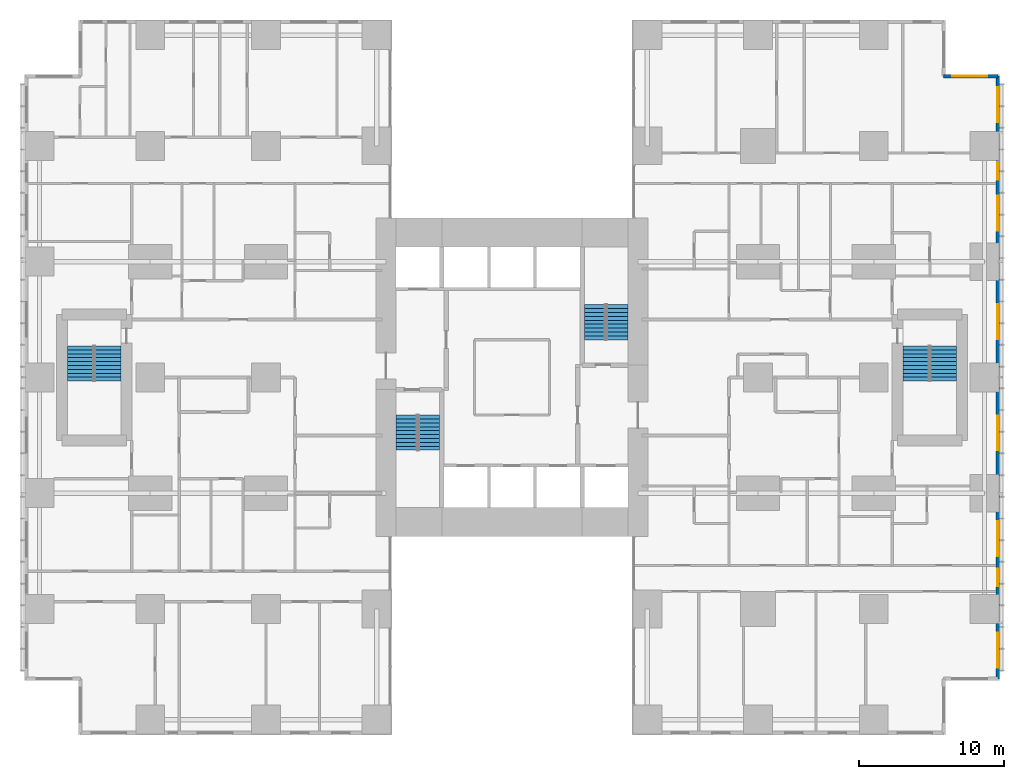
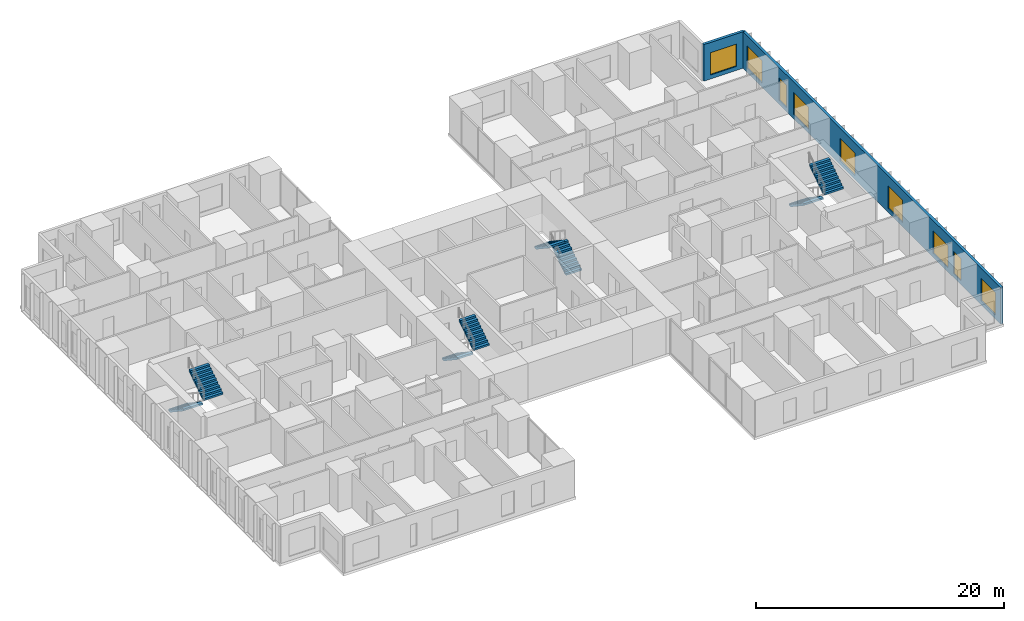
# One storey, part 19 of 20: 9 windows, 8 stair flights, 2 walls, 9 openings, 4 elements without a shape of their own.
"""IFC4 building model written with IfcOpenShell, lengths in metres."""

from ifc_helpers import new_model, si_unit, direction, frame, frame_2d, origin, place, context, subcontext, project, spatial, polyline, rectangle, outline, extrude, material, layer, layer_set, type_object, element, fill, aggregate, save


model = new_model("IFC4")

# Units and contexts
model_context = context("Model", 3, precision=1e-05, world=origin(), true_north=direction((0.0, 1.0)))
body_context = subcontext(model_context, "Body", "Model", "MODEL_VIEW")
ifc_project = project(units=[si_unit("LENGTHUNIT", "METRE"), si_unit("AREAUNIT", "SQUARE_METRE"), si_unit("VOLUMEUNIT", "CUBIC_METRE"), si_unit("PLANEANGLEUNIT", "RADIAN"), si_unit("MASSUNIT", "GRAM", prefix="KILO")], contexts=[model_context])

# Site, building, storey
site_placement = place(None, origin())
site = spatial("IfcSite", under=ifc_project, at=site_placement, CompositionType="ELEMENT")
building_placement = place(site_placement, origin())
building = spatial("IfcBuilding", under=site, at=building_placement, Name="Cleftline Residences", CompositionType="ELEMENT")
storey_placement = place(building_placement, frame((0.0, 0.0, 121.39990234375)))
storey = spatial("IfcBuildingStorey", under=building, at=storey_placement, Name="L31", CompositionType="ELEMENT", Elevation=121.39990234375)

# Wall, openings, windows
ifc_material_1 = material(Name="Rendered reinforced concrete blockwork", Category="masonry")
ifc_layer = layer(ifc_material_1, 0.25)
ifc_layer_set = layer_set([ifc_layer], Name="EXTERNAL WALL 250")
wall_type = type_object("IfcWallType", Name="EXTERNAL WALL 250", PredefinedType="SOLIDWALL", material=ifc_layer_set)
wall_1_placement = place(storey_placement, frame((66.574951171875, 3.175048828125, 0.0), z_axis=(0.0, 0.0, 1.0), x_axis=(0.0, 1.0, 0.0)))
wall_1 = element("IfcWall", 1, at=wall_1_placement, inside=storey, type_object=wall_type, Name="External wall", PredefinedType="SOLIDWALL", context=body_context, shape_type="SweptSolid", body=[
    extrude(rectangle(XDim=41.64990234375, YDim=0.25, at=frame_2d((20.824951171875, 0.0))), origin(), (0.0, 0.0, 1.0), 3.60009765625),
])
opening_1_placement = place(wall_1_placement, frame((0.77490234375, 0.0, 0.39990234375)))
opening_1 = element("IfcOpeningElement", 2, at=opening_1_placement, cuts=wall_1, Name="Opening W12", PredefinedType="OPENING", context=body_context, shape_type="SweptSolid", body=[
    extrude(rectangle(XDim=2.39990234375, YDim=2.199951171875, at=frame_2d((1.199951171875, 1.10009765625))), frame((0.0, 0.135009765625, 0.0), z_axis=(0.0, -1.0, 0.0), x_axis=(1.0, 0.0, 0.0)), (0.0, 0.0, 1.0), 0.27001953125),
])
opening_2_placement = place(wall_1_placement, frame((6.39990234375, 0.0, 0.39990234375)))
opening_2 = element("IfcOpeningElement", 3, at=opening_2_placement, cuts=wall_1, Name="Opening W11", PredefinedType="OPENING", context=body_context, shape_type="SweptSolid", body=[
    extrude(rectangle(XDim=1.199951171875, YDim=2.199951171875, at=frame_2d((0.60009765625, 1.10009765625))), frame((0.0, 0.135009765625, 0.0), z_axis=(0.0, -1.0, 0.0), x_axis=(1.0, 0.0, 0.0)), (0.0, 0.0, 1.0), 0.27001953125),
])
opening_3_placement = place(wall_1_placement, frame((8.47509765625, 0.0, 0.39990234375)))
opening_3 = element("IfcOpeningElement", 4, at=opening_3_placement, cuts=wall_1, Name="Opening W12", PredefinedType="OPENING", context=body_context, shape_type="SweptSolid", body=[
    extrude(rectangle(XDim=2.39990234375, YDim=2.199951171875, at=frame_2d((1.199951171875, 1.10009765625))), frame((0.0, 0.135009765625, 0.0), z_axis=(0.0, -1.0, 0.0), x_axis=(1.0, 0.0, 0.0)), (0.0, 0.0, 1.0), 0.27001953125),
])
opening_4_placement = place(wall_1_placement, frame((15.77490234375, 0.0, 0.39990234375)))
opening_4 = element("IfcOpeningElement", 5, at=opening_4_placement, cuts=wall_1, Name="Opening W12", PredefinedType="OPENING", context=body_context, shape_type="SweptSolid", body=[
    extrude(rectangle(XDim=2.39990234375, YDim=2.199951171875, at=frame_2d((1.199951171875, 1.10009765625))), frame((0.0, 0.135009765625, 0.0), z_axis=(0.0, -1.0, 0.0), x_axis=(1.0, 0.0, 0.0)), (0.0, 0.0, 1.0), 0.27001953125),
])
opening_5_placement = place(wall_1_placement, frame((23.47509765625, 0.0, 0.39990234375)))
opening_5 = element("IfcOpeningElement", 6, at=opening_5_placement, cuts=wall_1, Name="Opening W12", PredefinedType="OPENING", context=body_context, shape_type="SweptSolid", body=[
    extrude(rectangle(XDim=2.39990234375, YDim=2.199951171875, at=frame_2d((1.199951171875, 1.10009765625))), frame((0.0, 0.135009765625, 0.0), z_axis=(0.0, -1.0, 0.0), x_axis=(1.0, 0.0, 0.0)), (0.0, 0.0, 1.0), 0.27001953125),
])
opening_6_placement = place(wall_1_placement, frame((30.97509765625, 0.0, 0.39990234375)))
opening_6 = element("IfcOpeningElement", 7, at=opening_6_placement, cuts=wall_1, Name="Opening W12", PredefinedType="OPENING", context=body_context, shape_type="SweptSolid", body=[
    extrude(rectangle(XDim=2.39990234375, YDim=2.199951171875, at=frame_2d((1.199951171875, 1.10009765625))), frame((0.0, 0.135009765625, 0.0), z_axis=(0.0, -1.0, 0.0), x_axis=(1.0, 0.0, 0.0)), (0.0, 0.0, 1.0), 0.27001953125),
])
opening_7_placement = place(wall_1_placement, frame((34.5, 0.0, 0.39990234375)))
opening_7 = element("IfcOpeningElement", 8, at=opening_7_placement, cuts=wall_1, Name="Opening W11", PredefinedType="OPENING", context=body_context, shape_type="SweptSolid", body=[
    extrude(rectangle(XDim=1.199951171875, YDim=2.199951171875, at=frame_2d((0.60009765625, 1.10009765625))), frame((0.0, 0.135009765625, 0.0), z_axis=(0.0, -1.0, 0.0), x_axis=(1.0, 0.0, 0.0)), (0.0, 0.0, 1.0), 0.27001953125),
])
opening_8_placement = place(wall_1_placement, frame((38.47509765625, 0.0, 0.39990234375)))
opening_8 = element("IfcOpeningElement", 9, at=opening_8_placement, cuts=wall_1, Name="Opening W12", PredefinedType="OPENING", context=body_context, shape_type="SweptSolid", body=[
    extrude(rectangle(XDim=2.39990234375, YDim=2.199951171875, at=frame_2d((1.199951171875, 1.10009765625))), frame((0.0, 0.135009765625, 0.0), z_axis=(0.0, -1.0, 0.0), x_axis=(1.0, 0.0, 0.0)), (0.0, 0.0, 1.0), 0.27001953125),
])
ifc_material_2 = material(Name="Aluminium frame, clear double glazing", Category="aluminium")
window_type_1 = type_object("IfcWindowType", Name="WINDOW 1200X2200", PartitioningType="DOUBLE_PANEL_VERTICAL", PredefinedType="WINDOW", material=ifc_material_2)
window_1_placement = place(opening_2_placement, origin())
window_1 = element("IfcWindow", 10, at=window_1_placement, inside=storey, type_object=window_type_1, Name="Window", OverallHeight=2.199951171875, OverallWidth=1.199951171875, PartitioningType="SINGLE_PANEL", PredefinedType="WINDOW", context=body_context, shape_type="SweptSolid", body=[
    extrude(rectangle(XDim=1.199951171875, YDim=2.199951171875, at=frame_2d((0.60009765625, 1.10009765625))), frame((0.0, 0.030029296875, 0.0), z_axis=(0.0, -1.0, 0.0), x_axis=(1.0, 0.0, 0.0)), (0.0, 0.0, 1.0), 0.06005859375),
])
fill(opening_2, window_1)
window_2_placement = place(opening_7_placement, origin())
window_2 = element("IfcWindow", 11, at=window_2_placement, inside=storey, type_object=window_type_1, Name="Window", OverallHeight=2.199951171875, OverallWidth=1.199951171875, PartitioningType="SINGLE_PANEL", PredefinedType="WINDOW", context=body_context, shape_type="SweptSolid", body=[
    extrude(rectangle(XDim=1.199951171875, YDim=2.199951171875, at=frame_2d((0.60009765625, 1.10009765625))), frame((0.0, 0.030029296875, 0.0), z_axis=(0.0, -1.0, 0.0), x_axis=(1.0, 0.0, 0.0)), (0.0, 0.0, 1.0), 0.06005859375),
])
fill(opening_7, window_2)
ifc_material_3 = material(Name="Aluminium frame, clear double glazing", Category="aluminium")
window_type_2 = type_object("IfcWindowType", Name="WINDOW 2400X2200", PartitioningType="DOUBLE_PANEL_VERTICAL", PredefinedType="WINDOW", material=ifc_material_3)
window_3_placement = place(opening_1_placement, origin())
window_3 = element("IfcWindow", 12, at=window_3_placement, inside=storey, type_object=window_type_2, Name="Window", OverallHeight=2.199951171875, OverallWidth=2.39990234375, PartitioningType="SINGLE_PANEL", PredefinedType="WINDOW", context=body_context, shape_type="SweptSolid", body=[
    extrude(rectangle(XDim=2.39990234375, YDim=2.199951171875, at=frame_2d((1.199951171875, 1.10009765625))), frame((0.0, 0.030029296875, 0.0), z_axis=(0.0, -1.0, 0.0), x_axis=(1.0, 0.0, 0.0)), (0.0, 0.0, 1.0), 0.06005859375),
])
fill(opening_1, window_3)
window_4_placement = place(opening_3_placement, origin())
window_4 = element("IfcWindow", 13, at=window_4_placement, inside=storey, type_object=window_type_2, Name="Window", OverallHeight=2.199951171875, OverallWidth=2.39990234375, PartitioningType="SINGLE_PANEL", PredefinedType="WINDOW", context=body_context, shape_type="SweptSolid", body=[
    extrude(rectangle(XDim=2.39990234375, YDim=2.199951171875, at=frame_2d((1.199951171875, 1.10009765625))), frame((0.0, 0.030029296875, 0.0), z_axis=(0.0, -1.0, 0.0), x_axis=(1.0, 0.0, 0.0)), (0.0, 0.0, 1.0), 0.06005859375),
])
fill(opening_3, window_4)
window_5_placement = place(opening_4_placement, origin())
window_5 = element("IfcWindow", 14, at=window_5_placement, inside=storey, type_object=window_type_2, Name="Window", OverallHeight=2.199951171875, OverallWidth=2.39990234375, PartitioningType="SINGLE_PANEL", PredefinedType="WINDOW", context=body_context, shape_type="SweptSolid", body=[
    extrude(rectangle(XDim=2.39990234375, YDim=2.199951171875, at=frame_2d((1.199951171875, 1.10009765625))), frame((0.0, 0.030029296875, 0.0), z_axis=(0.0, -1.0, 0.0), x_axis=(1.0, 0.0, 0.0)), (0.0, 0.0, 1.0), 0.06005859375),
])
fill(opening_4, window_5)
window_6_placement = place(opening_5_placement, origin())
window_6 = element("IfcWindow", 15, at=window_6_placement, inside=storey, type_object=window_type_2, Name="Window", OverallHeight=2.199951171875, OverallWidth=2.39990234375, PartitioningType="SINGLE_PANEL", PredefinedType="WINDOW", context=body_context, shape_type="SweptSolid", body=[
    extrude(rectangle(XDim=2.39990234375, YDim=2.199951171875, at=frame_2d((1.199951171875, 1.10009765625))), frame((0.0, 0.030029296875, 0.0), z_axis=(0.0, -1.0, 0.0), x_axis=(1.0, 0.0, 0.0)), (0.0, 0.0, 1.0), 0.06005859375),
])
fill(opening_5, window_6)
window_7_placement = place(opening_6_placement, origin())
window_7 = element("IfcWindow", 16, at=window_7_placement, inside=storey, type_object=window_type_2, Name="Window", OverallHeight=2.199951171875, OverallWidth=2.39990234375, PartitioningType="SINGLE_PANEL", PredefinedType="WINDOW", context=body_context, shape_type="SweptSolid", body=[
    extrude(rectangle(XDim=2.39990234375, YDim=2.199951171875, at=frame_2d((1.199951171875, 1.10009765625))), frame((0.0, 0.030029296875, 0.0), z_axis=(0.0, -1.0, 0.0), x_axis=(1.0, 0.0, 0.0)), (0.0, 0.0, 1.0), 0.06005859375),
])
fill(opening_6, window_7)
window_8_placement = place(opening_8_placement, origin())
window_8 = element("IfcWindow", 17, at=window_8_placement, inside=storey, type_object=window_type_2, Name="Window", OverallHeight=2.199951171875, OverallWidth=2.39990234375, PartitioningType="SINGLE_PANEL", PredefinedType="WINDOW", context=body_context, shape_type="SweptSolid", body=[
    extrude(rectangle(XDim=2.39990234375, YDim=2.199951171875, at=frame_2d((1.199951171875, 1.10009765625))), frame((0.0, 0.030029296875, 0.0), z_axis=(0.0, -1.0, 0.0), x_axis=(1.0, 0.0, 0.0)), (0.0, 0.0, 1.0), 0.06005859375),
])
fill(opening_8, window_8)

# Wall, opening, window
wall_2_placement = place(storey_placement, frame((66.574951171875, 44.824951171875, 0.0), z_axis=(0.0, 0.0, 1.0), x_axis=(-1.0, 0.0, 0.0)))
wall_2 = element("IfcWall", 18, at=wall_2_placement, inside=storey, type_object=wall_type, Name="External wall", PredefinedType="SOLIDWALL", context=body_context, shape_type="SweptSolid", body=[
    extrude(rectangle(XDim=3.75, YDim=0.25, at=frame_2d((1.875, 0.0))), origin(), (0.0, 0.0, 1.0), 3.60009765625),
])
opening_9_placement = place(wall_2_placement, frame((0.737548828125, 0.0, 0.39990234375)))
opening_9 = element("IfcOpeningElement", 19, at=opening_9_placement, cuts=wall_2, Name="Opening W12", PredefinedType="OPENING", context=body_context, shape_type="SweptSolid", body=[
    extrude(rectangle(XDim=2.39990234375, YDim=2.199951171875, at=frame_2d((1.199951171875, 1.10009765625))), frame((0.0, 0.135009765625, 0.0), z_axis=(0.0, -1.0, 0.0), x_axis=(1.0, 0.0, 0.0)), (0.0, 0.0, 1.0), 0.27001953125),
])
window_9_placement = place(opening_9_placement, origin())
window_9 = element("IfcWindow", 20, at=window_9_placement, inside=storey, type_object=window_type_2, Name="Window", OverallHeight=2.199951171875, OverallWidth=2.39990234375, PartitioningType="SINGLE_PANEL", PredefinedType="WINDOW", context=body_context, shape_type="SweptSolid", body=[
    extrude(rectangle(XDim=2.39990234375, YDim=2.199951171875, at=frame_2d((1.199951171875, 1.10009765625))), frame((0.0, 0.030029296875, 0.0), z_axis=(0.0, -1.0, 0.0), x_axis=(1.0, 0.0, 0.0)), (0.0, 0.0, 1.0), 0.06005859375),
])
fill(opening_9, window_9)

# Stair, stair flights
ifc_material_4 = material(Name="Concrete B45, stone treads", Category="masonry")
stair_type_1 = type_object("IfcStairType", Name="STAIR A 1450 WIDE 180 RISER", PredefinedType="HALF_TURN_STAIR", material=ifc_material_4)
stair_1_placement = place(storey_placement, origin())
stair_1 = element("IfcStair", 21, at=stair_1_placement, inside=storey, type_object=stair_type_1, Name="Stair A L31", PredefinedType="HALF_TURN_STAIR")
ifc_material_5 = material(Name="Concrete B45", Category="concrete")
stair_flight_type_1 = type_object("IfcStairFlightType", Name="STAIR A FLIGHT 1450X180", PredefinedType="STRAIGHT", material=ifc_material_5)
stair_flight_1_placement = place(storey_placement, frame((25.72509765625, 21.39990234375, 0.0), z_axis=(0.0, 0.0, 1.0), x_axis=(0.0, -1.0, 0.0)))
stair_flight_1 = element("IfcStairFlight", 22, at=stair_flight_1_placement, type_object=stair_flight_type_1, Name="ST-A flight 1", NumberOfRisers=10, NumberOfTreads=9, PredefinedType="STRAIGHT", RiserHeight=0.18, TreadLength=0.27, context=body_context, shape_type="SweptSolid", body=[
    extrude(outline(polyline([(0.0, 0.0), (0.0, 0.013916015625), (0.0, 0.027587890625), (0.0, 0.04150390625), (0.0, 0.055419921875), (0.0, 0.0693359375), (0.0, 0.0830078125), (0.0, 0.096923828125), (0.0, 0.11083984375), (0.0, 0.12451171875), (0.0, 0.138427734375), (0.0, 0.15234375), (0.0, 0.166259765625), (0.0, 0.179931640625), (0.27001953125, 0.179931640625), (0.27001953125, 0.360107421875), (0.5400390625, 0.360107421875), (0.5400390625, 0.5400390625), (0.81005859375, 0.5400390625), (0.81005859375, 0.719970703125), (1.080078125, 0.719970703125), (1.080078125, 0.89990234375), (1.35009765625, 0.89990234375), (1.35009765625, 1.080078125), (1.6201171875, 1.080078125), (1.6201171875, 1.260009765625), (1.889892578125, 1.260009765625), (1.889892578125, 1.43994140625), (2.159912109375, 1.43994140625), (2.159912109375, 1.6201171875), (2.429931640625, 1.6201171875), (2.429931640625, 1.800048828125), (2.429931640625, 1.772216796875), (2.429931640625, 1.74462890625), (2.429931640625, 1.716796875), (2.429931640625, 1.689208984375), (2.429931640625, 1.661376953125), (2.429931640625, 1.6337890625), (2.429931640625, 1.60595703125), (2.429931640625, 1.578369140625), (2.429931640625, 1.550537109375), (2.429931640625, 1.52294921875), (2.429931640625, 1.495361328125), (2.429931640625, 1.467529296875), (2.429931640625, 1.43994140625), (0.270263671875, 0.0), (0.0, 0.0)])), frame((0.0, 0.72509765625, 0.0), z_axis=(0.0, -1.0, 0.0), x_axis=(1.0, 0.0, 0.0)), (0.0, 0.0, 1.0), 1.449951171875),
])
stair_flight_2_placement = place(storey_placement, frame((27.27490234375, 18.969970703125, 1.800048828125), z_axis=(0.0, 0.0, 1.0), x_axis=(0.0, 1.0, 0.0)))
stair_flight_2 = element("IfcStairFlight", 23, at=stair_flight_2_placement, type_object=stair_flight_type_1, Name="ST-A flight 2", NumberOfRisers=10, NumberOfTreads=9, PredefinedType="STRAIGHT", RiserHeight=0.18, TreadLength=0.27, context=body_context, shape_type="SweptSolid", body=[
    extrude(outline(polyline([(0.0, 0.0), (0.0, 0.013916015625), (0.0, 0.027587890625), (0.0, 0.04150390625), (0.0, 0.055419921875), (0.0, 0.0693359375), (0.0, 0.0830078125), (0.0, 0.096923828125), (0.0, 0.11083984375), (0.0, 0.12451171875), (0.0, 0.138427734375), (0.0, 0.15234375), (0.0, 0.166259765625), (0.0, 0.179931640625), (0.27001953125, 0.179931640625), (0.27001953125, 0.360107421875), (0.5400390625, 0.360107421875), (0.5400390625, 0.5400390625), (0.81005859375, 0.5400390625), (0.81005859375, 0.719970703125), (1.080078125, 0.719970703125), (1.080078125, 0.89990234375), (1.35009765625, 0.89990234375), (1.35009765625, 1.080078125), (1.6201171875, 1.080078125), (1.6201171875, 1.260009765625), (1.889892578125, 1.260009765625), (1.889892578125, 1.43994140625), (2.159912109375, 1.43994140625), (2.159912109375, 1.6201171875), (2.429931640625, 1.6201171875), (2.429931640625, 1.800048828125), (2.429931640625, 1.772216796875), (2.429931640625, 1.74462890625), (2.429931640625, 1.716796875), (2.429931640625, 1.689208984375), (2.429931640625, 1.661376953125), (2.429931640625, 1.6337890625), (2.429931640625, 1.60595703125), (2.429931640625, 1.578369140625), (2.429931640625, 1.550537109375), (2.429931640625, 1.52294921875), (2.429931640625, 1.495361328125), (2.429931640625, 1.467529296875), (2.429931640625, 1.43994140625), (0.270263671875, 0.0), (0.0, 0.0)])), frame((0.0, 0.72509765625, 0.0), z_axis=(0.0, -1.0, 0.0), x_axis=(1.0, 0.0, 0.0)), (0.0, 0.0, 1.0), 1.449951171875),
])
aggregate(stair_1, [stair_flight_1, stair_flight_2])

ifc_material_6 = material(Name="Concrete B45, stone treads", Category="masonry")
stair_type_2 = type_object("IfcStairType", Name="STAIR B 1450 WIDE 180 RISER", PredefinedType="HALF_TURN_STAIR", material=ifc_material_6)
stair_2_placement = place(storey_placement, origin())
stair_2 = element("IfcStair", 24, at=stair_2_placement, inside=storey, type_object=stair_type_2, Name="Stair B L31", PredefinedType="HALF_TURN_STAIR")
ifc_material_7 = material(Name="Concrete B45", Category="concrete")
stair_flight_type_2 = type_object("IfcStairFlightType", Name="STAIR B FLIGHT 1450X180", PredefinedType="STRAIGHT", material=ifc_material_7)
stair_flight_3_placement = place(storey_placement, frame((40.27490234375, 26.60009765625, 0.0), z_axis=(0.0, 0.0, 1.0), x_axis=(0.0, 1.0, 0.0)))
stair_flight_3 = element("IfcStairFlight", 25, at=stair_flight_3_placement, type_object=stair_flight_type_2, Name="ST-B flight 1", NumberOfRisers=10, NumberOfTreads=9, PredefinedType="STRAIGHT", RiserHeight=0.18, TreadLength=0.27, context=body_context, shape_type="SweptSolid", body=[
    extrude(outline(polyline([(0.0, 0.0), (0.0, 0.013916015625), (0.0, 0.027587890625), (0.0, 0.04150390625), (0.0, 0.055419921875), (0.0, 0.0693359375), (0.0, 0.0830078125), (0.0, 0.096923828125), (0.0, 0.11083984375), (0.0, 0.12451171875), (0.0, 0.138427734375), (0.0, 0.15234375), (0.0, 0.166259765625), (0.0, 0.179931640625), (0.27001953125, 0.179931640625), (0.27001953125, 0.360107421875), (0.5400390625, 0.360107421875), (0.5400390625, 0.5400390625), (0.81005859375, 0.5400390625), (0.81005859375, 0.719970703125), (1.080078125, 0.719970703125), (1.080078125, 0.89990234375), (1.35009765625, 0.89990234375), (1.35009765625, 1.080078125), (1.6201171875, 1.080078125), (1.6201171875, 1.260009765625), (1.889892578125, 1.260009765625), (1.889892578125, 1.43994140625), (2.159912109375, 1.43994140625), (2.159912109375, 1.6201171875), (2.429931640625, 1.6201171875), (2.429931640625, 1.800048828125), (2.429931640625, 1.772216796875), (2.429931640625, 1.74462890625), (2.429931640625, 1.716796875), (2.429931640625, 1.689208984375), (2.429931640625, 1.661376953125), (2.429931640625, 1.6337890625), (2.429931640625, 1.60595703125), (2.429931640625, 1.578369140625), (2.429931640625, 1.550537109375), (2.429931640625, 1.52294921875), (2.429931640625, 1.495361328125), (2.429931640625, 1.467529296875), (2.429931640625, 1.43994140625), (0.270263671875, 0.0), (0.0, 0.0)])), frame((0.0, 0.72509765625, 0.0), z_axis=(0.0, -1.0, 0.0), x_axis=(1.0, 0.0, 0.0)), (0.0, 0.0, 1.0), 1.449951171875),
])
stair_flight_4_placement = place(storey_placement, frame((38.72509765625, 29.030029296875, 1.800048828125), z_axis=(0.0, 0.0, 1.0), x_axis=(0.0, -1.0, 0.0)))
stair_flight_4 = element("IfcStairFlight", 26, at=stair_flight_4_placement, type_object=stair_flight_type_2, Name="ST-B flight 2", NumberOfRisers=10, NumberOfTreads=9, PredefinedType="STRAIGHT", RiserHeight=0.18, TreadLength=0.27, context=body_context, shape_type="SweptSolid", body=[
    extrude(outline(polyline([(0.0, 0.0), (0.0, 0.013916015625), (0.0, 0.027587890625), (0.0, 0.04150390625), (0.0, 0.055419921875), (0.0, 0.0693359375), (0.0, 0.0830078125), (0.0, 0.096923828125), (0.0, 0.11083984375), (0.0, 0.12451171875), (0.0, 0.138427734375), (0.0, 0.15234375), (0.0, 0.166259765625), (0.0, 0.179931640625), (0.27001953125, 0.179931640625), (0.27001953125, 0.360107421875), (0.5400390625, 0.360107421875), (0.5400390625, 0.5400390625), (0.81005859375, 0.5400390625), (0.81005859375, 0.719970703125), (1.080078125, 0.719970703125), (1.080078125, 0.89990234375), (1.35009765625, 0.89990234375), (1.35009765625, 1.080078125), (1.6201171875, 1.080078125), (1.6201171875, 1.260009765625), (1.889892578125, 1.260009765625), (1.889892578125, 1.43994140625), (2.159912109375, 1.43994140625), (2.159912109375, 1.6201171875), (2.429931640625, 1.6201171875), (2.429931640625, 1.800048828125), (2.429931640625, 1.772216796875), (2.429931640625, 1.74462890625), (2.429931640625, 1.716796875), (2.429931640625, 1.689208984375), (2.429931640625, 1.661376953125), (2.429931640625, 1.6337890625), (2.429931640625, 1.60595703125), (2.429931640625, 1.578369140625), (2.429931640625, 1.550537109375), (2.429931640625, 1.52294921875), (2.429931640625, 1.495361328125), (2.429931640625, 1.467529296875), (2.429931640625, 1.43994140625), (0.270263671875, 0.0), (0.0, 0.0)])), frame((0.0, 0.72509765625, 0.0), z_axis=(0.0, -1.0, 0.0), x_axis=(1.0, 0.0, 0.0)), (0.0, 0.0, 1.0), 1.449951171875),
])
aggregate(stair_2, [stair_flight_3, stair_flight_4])

ifc_material_8 = material(Name="Concrete B45, stone treads", Category="masonry")
stair_type_3 = type_object("IfcStairType", Name="STAIR E 1800 WIDE 180 RISER", PredefinedType="HALF_TURN_STAIR", material=ifc_material_8)
stair_3_placement = place(storey_placement, origin())
stair_3 = element("IfcStair", 27, at=stair_3_placement, inside=storey, type_object=stair_type_3, Name="Stair E L31", PredefinedType="HALF_TURN_STAIR")
ifc_material_9 = material(Name="Concrete B45", Category="concrete")
stair_flight_type_3 = type_object("IfcStairFlightType", Name="STAIR E FLIGHT 1800X180", PredefinedType="STRAIGHT", material=ifc_material_9)
stair_flight_5_placement = place(storey_placement, frame((60.925048828125, 26.175048828125, 0.0), z_axis=(0.0, 0.0, 1.0), x_axis=(0.0, -1.0, 0.0)))
stair_flight_5 = element("IfcStairFlight", 28, at=stair_flight_5_placement, type_object=stair_flight_type_3, Name="ST-E flight 1", NumberOfRisers=10, NumberOfTreads=9, PredefinedType="STRAIGHT", RiserHeight=0.18, TreadLength=0.27, context=body_context, shape_type="SweptSolid", body=[
    extrude(outline(polyline([(0.0, 0.0), (0.0, 0.013916015625), (0.0, 0.027587890625), (0.0, 0.04150390625), (0.0, 0.055419921875), (0.0, 0.0693359375), (0.0, 0.0830078125), (0.0, 0.096923828125), (0.0, 0.11083984375), (0.0, 0.12451171875), (0.0, 0.138427734375), (0.0, 0.15234375), (0.0, 0.166259765625), (0.0, 0.179931640625), (0.27001953125, 0.179931640625), (0.27001953125, 0.360107421875), (0.5400390625, 0.360107421875), (0.5400390625, 0.5400390625), (0.81005859375, 0.5400390625), (0.81005859375, 0.719970703125), (1.080078125, 0.719970703125), (1.080078125, 0.89990234375), (1.35009765625, 0.89990234375), (1.35009765625, 1.080078125), (1.6201171875, 1.080078125), (1.6201171875, 1.260009765625), (1.889892578125, 1.260009765625), (1.889892578125, 1.43994140625), (2.159912109375, 1.43994140625), (2.159912109375, 1.6201171875), (2.429931640625, 1.6201171875), (2.429931640625, 1.800048828125), (2.429931640625, 1.772216796875), (2.429931640625, 1.74462890625), (2.429931640625, 1.716796875), (2.429931640625, 1.689208984375), (2.429931640625, 1.661376953125), (2.429931640625, 1.6337890625), (2.429931640625, 1.60595703125), (2.429931640625, 1.578369140625), (2.429931640625, 1.550537109375), (2.429931640625, 1.52294921875), (2.429931640625, 1.495361328125), (2.429931640625, 1.467529296875), (2.429931640625, 1.43994140625), (0.270263671875, 0.0), (0.0, 0.0)])), frame((0.0, 0.89990234375, 0.0), z_axis=(0.0, -1.0, 0.0), x_axis=(1.0, 0.0, 0.0)), (0.0, 0.0, 1.0), 1.800048828125),
])
stair_flight_6_placement = place(storey_placement, frame((62.824951171875, 23.7451171875, 1.800048828125), z_axis=(0.0, 0.0, 1.0), x_axis=(0.0, 1.0, 0.0)))
stair_flight_6 = element("IfcStairFlight", 29, at=stair_flight_6_placement, type_object=stair_flight_type_3, Name="ST-E flight 2", NumberOfRisers=10, NumberOfTreads=9, PredefinedType="STRAIGHT", RiserHeight=0.18, TreadLength=0.27, context=body_context, shape_type="SweptSolid", body=[
    extrude(outline(polyline([(0.0, 0.0), (0.0, 0.013916015625), (0.0, 0.027587890625), (0.0, 0.04150390625), (0.0, 0.055419921875), (0.0, 0.0693359375), (0.0, 0.0830078125), (0.0, 0.096923828125), (0.0, 0.11083984375), (0.0, 0.12451171875), (0.0, 0.138427734375), (0.0, 0.15234375), (0.0, 0.166259765625), (0.0, 0.179931640625), (0.27001953125, 0.179931640625), (0.27001953125, 0.360107421875), (0.5400390625, 0.360107421875), (0.5400390625, 0.5400390625), (0.81005859375, 0.5400390625), (0.81005859375, 0.719970703125), (1.080078125, 0.719970703125), (1.080078125, 0.89990234375), (1.35009765625, 0.89990234375), (1.35009765625, 1.080078125), (1.6201171875, 1.080078125), (1.6201171875, 1.260009765625), (1.889892578125, 1.260009765625), (1.889892578125, 1.43994140625), (2.159912109375, 1.43994140625), (2.159912109375, 1.6201171875), (2.429931640625, 1.6201171875), (2.429931640625, 1.800048828125), (2.429931640625, 1.772216796875), (2.429931640625, 1.74462890625), (2.429931640625, 1.716796875), (2.429931640625, 1.689208984375), (2.429931640625, 1.661376953125), (2.429931640625, 1.6337890625), (2.429931640625, 1.60595703125), (2.429931640625, 1.578369140625), (2.429931640625, 1.550537109375), (2.429931640625, 1.52294921875), (2.429931640625, 1.495361328125), (2.429931640625, 1.467529296875), (2.429931640625, 1.43994140625), (0.270263671875, 0.0), (0.0, 0.0)])), frame((0.0, 0.89990234375, 0.0), z_axis=(0.0, -1.0, 0.0), x_axis=(1.0, 0.0, 0.0)), (0.0, 0.0, 1.0), 1.800048828125),
])
aggregate(stair_3, [stair_flight_5, stair_flight_6])

ifc_material_10 = material(Name="Concrete B45, stone treads", Category="masonry")
stair_type_4 = type_object("IfcStairType", Name="STAIR W 1800 WIDE 180 RISER", PredefinedType="HALF_TURN_STAIR", material=ifc_material_10)
stair_4_placement = place(storey_placement, origin())
stair_4 = element("IfcStair", 30, at=stair_4_placement, inside=storey, type_object=stair_type_4, Name="Stair W L31", PredefinedType="HALF_TURN_STAIR")
ifc_material_11 = material(Name="Concrete B45", Category="concrete")
stair_flight_type_4 = type_object("IfcStairFlightType", Name="STAIR W FLIGHT 1800X180", PredefinedType="STRAIGHT", material=ifc_material_11)
stair_flight_7_placement = place(storey_placement, frame((3.175048828125, 26.175048828125, 0.0), z_axis=(0.0, 0.0, 1.0), x_axis=(0.0, -1.0, 0.0)))
stair_flight_7 = element("IfcStairFlight", 31, at=stair_flight_7_placement, type_object=stair_flight_type_4, Name="ST-W flight 1", NumberOfRisers=10, NumberOfTreads=9, PredefinedType="STRAIGHT", RiserHeight=0.18, TreadLength=0.27, context=body_context, shape_type="SweptSolid", body=[
    extrude(outline(polyline([(0.0, 0.0), (0.0, 0.013916015625), (0.0, 0.027587890625), (0.0, 0.04150390625), (0.0, 0.055419921875), (0.0, 0.0693359375), (0.0, 0.0830078125), (0.0, 0.096923828125), (0.0, 0.11083984375), (0.0, 0.12451171875), (0.0, 0.138427734375), (0.0, 0.15234375), (0.0, 0.166259765625), (0.0, 0.179931640625), (0.27001953125, 0.179931640625), (0.27001953125, 0.360107421875), (0.5400390625, 0.360107421875), (0.5400390625, 0.5400390625), (0.81005859375, 0.5400390625), (0.81005859375, 0.719970703125), (1.080078125, 0.719970703125), (1.080078125, 0.89990234375), (1.35009765625, 0.89990234375), (1.35009765625, 1.080078125), (1.6201171875, 1.080078125), (1.6201171875, 1.260009765625), (1.889892578125, 1.260009765625), (1.889892578125, 1.43994140625), (2.159912109375, 1.43994140625), (2.159912109375, 1.6201171875), (2.429931640625, 1.6201171875), (2.429931640625, 1.800048828125), (2.429931640625, 1.772216796875), (2.429931640625, 1.74462890625), (2.429931640625, 1.716796875), (2.429931640625, 1.689208984375), (2.429931640625, 1.661376953125), (2.429931640625, 1.6337890625), (2.429931640625, 1.60595703125), (2.429931640625, 1.578369140625), (2.429931640625, 1.550537109375), (2.429931640625, 1.52294921875), (2.429931640625, 1.495361328125), (2.429931640625, 1.467529296875), (2.429931640625, 1.43994140625), (0.270263671875, 0.0), (0.0, 0.0)])), frame((0.0, 0.89990234375, 0.0), z_axis=(0.0, -1.0, 0.0), x_axis=(1.0, 0.0, 0.0)), (0.0, 0.0, 1.0), 1.800048828125),
])
stair_flight_8_placement = place(storey_placement, frame((5.074951171875, 23.7451171875, 1.800048828125), z_axis=(0.0, 0.0, 1.0), x_axis=(0.0, 1.0, 0.0)))
stair_flight_8 = element("IfcStairFlight", 32, at=stair_flight_8_placement, type_object=stair_flight_type_4, Name="ST-W flight 2", NumberOfRisers=10, NumberOfTreads=9, PredefinedType="STRAIGHT", RiserHeight=0.18, TreadLength=0.27, context=body_context, shape_type="SweptSolid", body=[
    extrude(outline(polyline([(0.0, 0.0), (0.0, 0.013916015625), (0.0, 0.027587890625), (0.0, 0.04150390625), (0.0, 0.055419921875), (0.0, 0.0693359375), (0.0, 0.0830078125), (0.0, 0.096923828125), (0.0, 0.11083984375), (0.0, 0.12451171875), (0.0, 0.138427734375), (0.0, 0.15234375), (0.0, 0.166259765625), (0.0, 0.179931640625), (0.27001953125, 0.179931640625), (0.27001953125, 0.360107421875), (0.5400390625, 0.360107421875), (0.5400390625, 0.5400390625), (0.81005859375, 0.5400390625), (0.81005859375, 0.719970703125), (1.080078125, 0.719970703125), (1.080078125, 0.89990234375), (1.35009765625, 0.89990234375), (1.35009765625, 1.080078125), (1.6201171875, 1.080078125), (1.6201171875, 1.260009765625), (1.889892578125, 1.260009765625), (1.889892578125, 1.43994140625), (2.159912109375, 1.43994140625), (2.159912109375, 1.6201171875), (2.429931640625, 1.6201171875), (2.429931640625, 1.800048828125), (2.429931640625, 1.772216796875), (2.429931640625, 1.74462890625), (2.429931640625, 1.716796875), (2.429931640625, 1.689208984375), (2.429931640625, 1.661376953125), (2.429931640625, 1.6337890625), (2.429931640625, 1.60595703125), (2.429931640625, 1.578369140625), (2.429931640625, 1.550537109375), (2.429931640625, 1.52294921875), (2.429931640625, 1.495361328125), (2.429931640625, 1.467529296875), (2.429931640625, 1.43994140625), (0.270263671875, 0.0), (0.0, 0.0)])), frame((0.0, 0.89990234375, 0.0), z_axis=(0.0, -1.0, 0.0), x_axis=(1.0, 0.0, 0.0)), (0.0, 0.0, 1.0), 1.800048828125),
])
aggregate(stair_4, [stair_flight_7, stair_flight_8])

save(model, "model.ifc")
